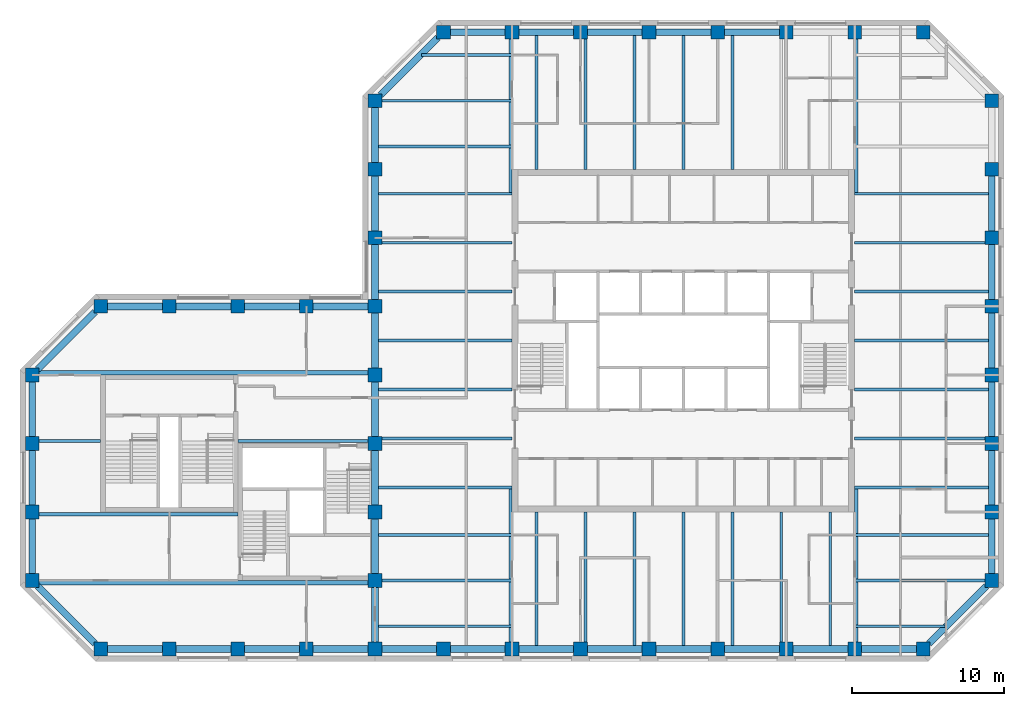
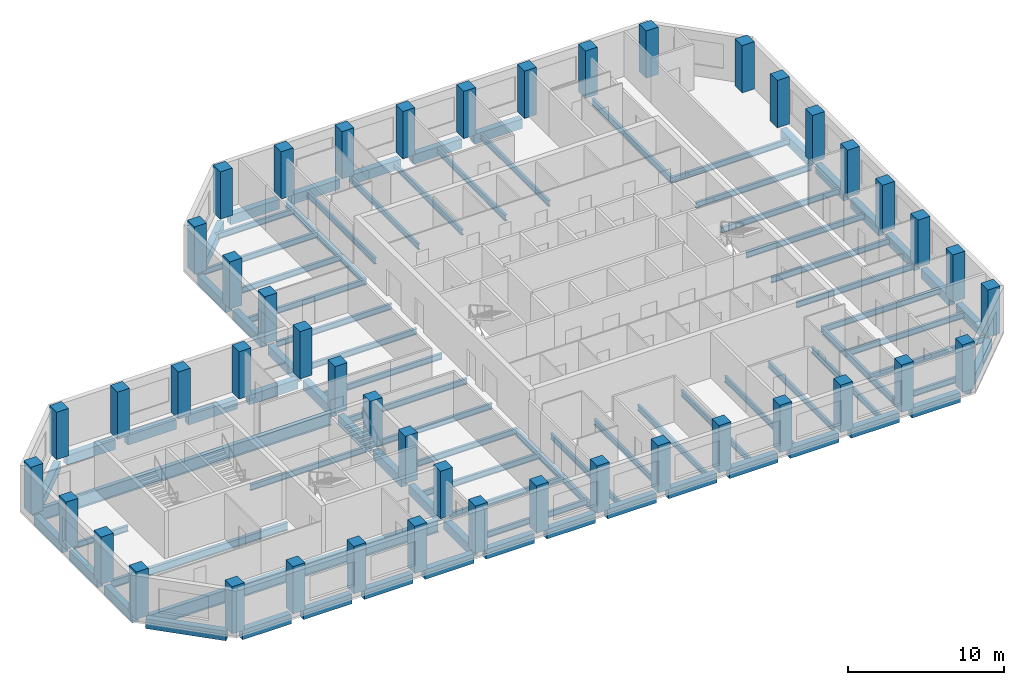
# One storey, part 1 of 9: 86 beams, 45 columns.
"""IFC4 building model written with IfcOpenShell, lengths in metres."""

from ifc_helpers import new_model, si_unit, direction, frame, origin, origin_2d, place, context, subcontext, project, spatial, rectangle, i_section, extrude, material, material_profile, profile_set, type_object, element, save


model = new_model("IFC4")

# Units and contexts
model_context = context("Model", 3, precision=1e-05, world=origin(), true_north=direction((0.0, 1.0)))
body_context = subcontext(model_context, "Body", "Model", "MODEL_VIEW")
ifc_project = project(units=[si_unit("LENGTHUNIT", "METRE"), si_unit("AREAUNIT", "SQUARE_METRE"), si_unit("VOLUMEUNIT", "CUBIC_METRE"), si_unit("PLANEANGLEUNIT", "RADIAN"), si_unit("MASSUNIT", "GRAM", prefix="KILO")], contexts=[model_context])

# Site, building, storey
site_placement = place(None, origin())
site = spatial("IfcSite", under=ifc_project, at=site_placement, CompositionType="ELEMENT")
building_placement = place(site_placement, origin())
building = spatial("IfcBuilding", under=site, at=building_placement, Name="Quoin Convention Tower", CompositionType="ELEMENT")
storey_placement = place(building_placement, frame((0.0, 0.0, 162.5)))
storey = spatial("IfcBuildingStorey", under=building, at=storey_placement, Name="L42", CompositionType="ELEMENT", Elevation=162.5)

# Columns
ifc_material_1 = material(Name="Concrete C50", Category="concrete")
ifc_material_profile_1 = material_profile(ifc_material_1, rectangle(XDim=0.89990234375, YDim=0.89990234375, at=origin_2d()), Name="RC 900x900")
ifc_profile_set_1 = profile_set([ifc_material_profile_1], Name="Concrete C50")
column_type = type_object("IfcColumnType", Name="RC 900x900 C50", PredefinedType="COLUMN", material=ifc_profile_set_1)
for number, where, z_axis, x_axis, name in (
    (1, (18.0, 40.5, 0.0), (0.0, 0.0, 1.0), (1.0, 0.0, 0.0), "col-L42-18000_40500"),
    (2, (22.5, 40.5, 0.0), (0.0, 0.0, 1.0), (1.0, 0.0, 0.0), "col-L42-22500_40500"),
    (3, (27.0, 40.5, 0.0), (0.0, 0.0, 1.0), (1.0, 0.0, 0.0), "col-L42-27000_40500"),
    (4, (31.5, 40.5, 0.0), (0.0, 0.0, 1.0), (1.0, 0.0, 0.0), "col-L42-31500_40500"),
    (5, (36.0, 40.5, 0.0), (0.0, 0.0, 1.0), (1.0, 0.0, 0.0), "col-L42-36000_40500"),
    (6, (40.5, 40.5, 0.0), (0.0, 0.0, 1.0), (1.0, 0.0, 0.0), "col-L42-40500_40500"),
    (7, (45.0, 40.5, 0.0), (0.0, 0.0, 1.0), (1.0, 0.0, 0.0), "col-L42-45000_40500"),
    (8, (49.5, 40.5, 0.0), (0.0, 0.0, 1.0), (1.0, 0.0, 0.0), "col-L42-49500_40500"),
    (9, (54.0, 40.5, 0.0), (0.0, 0.0, 1.0), (1.0, 0.0, 0.0), "col-L42-54000_40500"),
    (10, (58.5, 40.5, 0.0), (0.0, 0.0, 1.0), (1.0, 0.0, 0.0), "col-L42-58500_40500"),
    (11, (63.0, 40.5, 0.0), (0.0, 0.0, 1.0), (1.0, 0.0, 0.0), "col-L42-63000_40500"),
    (12, (67.5, 40.5, 0.0), (0.0, 0.0, 1.0), (1.0, 0.0, 0.0), "col-L42-67500_40500"),
    (13, (72.0, 40.5, 0.0), (0.0, 0.0, 1.0), (1.0, 0.0, 0.0), "col-L42-72000_40500"),
    (14, (13.5, 45.0, 0.0), (0.0, 0.0, 1.0), (1.0, 0.0, 0.0), "col-L42-13500_45000"),
    (15, (36.0, 45.0, 0.0), (0.0, 0.0, 1.0), (1.0, 0.0, 0.0), "web-L42-36000_45000"),
    (16, (76.5, 45.0, 0.0), (0.0, 0.0, 1.0), (1.0, 0.0, 0.0), "col-L42-76500_45000"),
    (17, (13.5, 49.5, 0.0), (0.0, 0.0, 1.0), (1.0, 0.0, 0.0), "col-L42-13500_49500"),
    (18, (36.0, 49.5, 0.0), (0.0, 0.0, 1.0), (1.0, 0.0, 0.0), "web-L42-36000_49500"),
    (19, (76.5, 49.5, 0.0), (0.0, 0.0, 1.0), (1.0, 0.0, 0.0), "col-L42-76500_49500"),
    (20, (13.5, 54.0, 0.0), (0.0, 0.0, 1.0), (1.0, 0.0, 0.0), "col-L42-13500_54000"),
    (21, (36.0, 54.0, 0.0), (0.0, 0.0, 1.0), (1.0, 0.0, 0.0), "web-L42-36000_54000"),
    (22, (76.5, 54.0, 0.0), (0.0, 0.0, 1.0), (1.0, 0.0, 0.0), "col-L42-76500_54000"),
    (23, (13.5, 58.5, 0.0), (0.0, 0.0, 1.0), (1.0, 0.0, 0.0), "col-L42-13500_58500"),
    (24, (36.0, 58.5, 0.0), (0.0, 0.0, 1.0), (1.0, 0.0, 0.0), "web-L42-36000_58500"),
    (25, (76.5, 58.5, 0.0), (0.0, 0.0, 1.0), (1.0, 0.0, 0.0), "col-L42-76500_58500"),
    (26, (18.0, 63.0, 0.0), (0.0, 0.0, 1.0), (1.0, 0.0, 0.0), "col-L42-18000_63000"),
    (27, (22.5, 63.0, 0.0), (0.0, 0.0, 1.0), (1.0, 0.0, 0.0), "col-L42-22500_63000"),
    (28, (27.0, 63.0, 0.0), (0.0, 0.0, 1.0), (1.0, 0.0, 0.0), "col-L42-27000_63000"),
    (29, (31.5, 63.0, 0.0), (0.0, 0.0, 1.0), (1.0, 0.0, 0.0), "col-L42-31500_63000"),
    (30, (36.0, 63.0, 0.0), (0.0, 0.0, 1.0), (1.0, 0.0, 0.0), "col-L42-36000_63000"),
    (31, (76.5, 63.0, 0.0), (0.0, 0.0, 1.0), (1.0, 0.0, 0.0), "col-L42-76500_63000"),
    (32, (36.0, 67.5, 0.0), (0.0, 0.0, 1.0), (1.0, 0.0, 0.0), "col-L42-36000_67500"),
    (33, (76.5, 67.5, 0.0), (0.0, 0.0, 1.0), (1.0, 0.0, 0.0), "col-L42-76500_67500"),
    (34, (36.0, 72.0, 0.0), (0.0, 0.0, 1.0), (1.0, 0.0, 0.0), "col-L42-36000_72000"),
    (35, (76.5, 72.0, 0.0), (0.0, 0.0, 1.0), (1.0, 0.0, 0.0), "col-L42-76500_72000"),
    (36, (36.0, 76.5, 0.0), (0.0, 0.0, 1.0), (1.0, 0.0, 0.0), "col-L42-36000_76500"),
    (37, (76.5, 76.5, 0.0), (0.0, 0.0, 1.0), (1.0, 0.0, 0.0), "col-L42-76500_76500"),
    (38, (40.5, 81.0, 0.0), (0.0, 0.0, 1.0), (1.0, 0.0, 0.0), "col-L42-40500_81000"),
    (39, (45.0, 81.0, 0.0), (0.0, 0.0, 1.0), (1.0, 0.0, 0.0), "col-L42-45000_81000"),
    (40, (49.5, 81.0, 0.0), (0.0, 0.0, 1.0), (1.0, 0.0, 0.0), "col-L42-49500_81000"),
    (41, (54.0, 81.0, 0.0), (0.0, 0.0, 1.0), (1.0, 0.0, 0.0), "col-L42-54000_81000"),
    (42, (58.5, 81.0, 0.0), (0.0, 0.0, 1.0), (1.0, 0.0, 0.0), "col-L42-58500_81000"),
    (43, (63.0, 81.0, 0.0), (0.0, 0.0, 1.0), (1.0, 0.0, 0.0), "col-L42-63000_81000"),
    (44, (67.5, 81.0, 0.0), (0.0, 0.0, 1.0), (1.0, 0.0, 0.0), "col-L42-67500_81000"),
    (45, (72.0, 81.0, 0.0), (0.0, 0.0, 1.0), (1.0, 0.0, 0.0), "col-L42-72000_81000"),
):
    element("IfcColumn", number, at=place(storey_placement, frame(where, z_axis=z_axis, x_axis=x_axis)), inside=storey, type_object=column_type, Name=name, PredefinedType="COLUMN", context=body_context, shape_type="SweptSolid", body=[
        extrude(rectangle(XDim=0.89990234375, YDim=0.89990234375, at=origin_2d()), origin(), (0.0, 0.0, 1.0), 3.699951171875),
    ])

# Beams
ifc_material_2 = material(Name="Steel Grade 300", Category="steel")
ifc_material_profile_2 = material_profile(ifc_material_2, i_section(OverallWidth=0.300048828125, OverallDepth=1.0, WebThickness=0.01611328125, FlangeThickness=0.02001953125, at=origin_2d()), Name="1000WB215")
ifc_profile_set_2 = profile_set([ifc_material_profile_2], Name="Steel Grade 300")
beam_type_1 = type_object("IfcBeamType", Name="1000WB215", PredefinedType="BEAM", material=ifc_profile_set_2)
for number, where, z_axis, x_axis, name in (
    (46, (13.949951171875, 44.85009765625, -0.64990234375), (1.0, 0.0, 0.0), (0.0, 1.0, 0.0), "gir-L42-ST2-1-0"),
    (47, (13.949951171875, 58.64990234375, -0.64990234375), (1.0, 0.0, 0.0), (0.0, 1.0, 0.0), "gir-L42-ST2-4-0"),
):
    element("IfcBeam", number, at=place(storey_placement, frame(where, z_axis=z_axis, x_axis=x_axis)), inside=storey, type_object=beam_type_1, Name=name, PredefinedType="BEAM", context=body_context, shape_type="SweptSolid", body=[
        extrude(i_section(OverallWidth=0.300048828125, OverallDepth=1.0, WebThickness=0.01611328125, FlangeThickness=0.02001953125, at=origin_2d()), origin(), (0.0, 0.0, 1.0), 21.60009765625),
    ])
ifc_material_profile_3 = material_profile(ifc_material_2, i_section(OverallWidth=0.18994140625, OverallDepth=0.4541015625, WebThickness=0.008544921875, FlangeThickness=0.0126953125, FilletRadius=0.011474609375, at=origin_2d()), Name="460UB67.1")
ifc_profile_set_3 = profile_set([ifc_material_profile_3], Name="Steel Grade 300")
beam_type_2 = type_object("IfcBeamType", Name="460UB67.1", PredefinedType="BEAM", material=ifc_profile_set_3)
beam_1_placement = place(storey_placement, frame((36.22509765625, 51.107177734375, -0.376953125), z_axis=(1.0, 0.0, 0.0), x_axis=(0.0, 1.0, 0.0)))
element("IfcBeam", 48, at=beam_1_placement, inside=storey, type_object=beam_type_2, Name="bm-L42-T1W0", PredefinedType="BEAM", context=body_context, shape_type="SweptSolid", body=[
    extrude(i_section(OverallWidth=0.18994140625, OverallDepth=0.4541015625, WebThickness=0.008544921875, FlangeThickness=0.0126953125, FilletRadius=0.011474609375, at=origin_2d()), origin(), (0.0, 0.0, 1.0), 8.77490234375),
])
beam_2_placement = place(storey_placement, frame((36.449951171875, 54.3212890625, -0.376953125), z_axis=(1.0, 0.0, 0.0), x_axis=(0.0, 1.0, 0.0)))
element("IfcBeam", 49, at=beam_2_placement, inside=storey, type_object=beam_type_2, Name="bm-L42-T1W1", PredefinedType="BEAM", context=body_context, shape_type="SweptSolid", body=[
    extrude(i_section(OverallWidth=0.18994140625, OverallDepth=0.4541015625, WebThickness=0.008544921875, FlangeThickness=0.0126953125, FilletRadius=0.011474609375, at=origin_2d()), origin(), (0.0, 0.0, 1.0), 8.550048828125),
])
for number, where, z_axis, x_axis, name in (
    (50, (36.22509765625, 57.53564453125, -0.376953125), (1.0, 0.0, 0.0), (0.0, 1.0, 0.0), "bm-L42-T1W2"),
    (51, (36.22509765625, 60.75, -0.376953125), (1.0, 0.0, 0.0), (0.0, 1.0, 0.0), "bm-L42-T1W3"),
    (52, (36.22509765625, 63.96435546875, -0.376953125), (1.0, 0.0, 0.0), (0.0, 1.0, 0.0), "bm-L42-T1W4"),
):
    element("IfcBeam", number, at=place(storey_placement, frame(where, z_axis=z_axis, x_axis=x_axis)), inside=storey, type_object=beam_type_2, Name=name, PredefinedType="BEAM", context=body_context, shape_type="SweptSolid", body=[
        extrude(i_section(OverallWidth=0.18994140625, OverallDepth=0.4541015625, WebThickness=0.008544921875, FlangeThickness=0.0126953125, FilletRadius=0.011474609375, at=origin_2d()), origin(), (0.0, 0.0, 1.0), 8.77490234375),
    ])
beam_3_placement = place(storey_placement, frame((36.449951171875, 67.1787109375, -0.376953125), z_axis=(1.0, 0.0, 0.0), x_axis=(0.0, 1.0, 0.0)))
element("IfcBeam", 53, at=beam_3_placement, inside=storey, type_object=beam_type_2, Name="bm-L42-T1W5", PredefinedType="BEAM", context=body_context, shape_type="SweptSolid", body=[
    extrude(i_section(OverallWidth=0.18994140625, OverallDepth=0.4541015625, WebThickness=0.008544921875, FlangeThickness=0.0126953125, FilletRadius=0.011474609375, at=origin_2d()), origin(), (0.0, 0.0, 1.0), 8.550048828125),
])
for number, where, z_axis, x_axis, name in (
    (54, (36.22509765625, 70.392822265625, -0.376953125), (1.0, 0.0, 0.0), (0.0, 1.0, 0.0), "bm-L42-T1W6"),
    (55, (67.5, 51.107177734375, -0.376953125), (1.0, 0.0, 0.0), (0.0, 1.0, 0.0), "bm-L42-T1E0"),
):
    element("IfcBeam", number, at=place(storey_placement, frame(where, z_axis=z_axis, x_axis=x_axis)), inside=storey, type_object=beam_type_2, Name=name, PredefinedType="BEAM", context=body_context, shape_type="SweptSolid", body=[
        extrude(i_section(OverallWidth=0.18994140625, OverallDepth=0.4541015625, WebThickness=0.008544921875, FlangeThickness=0.0126953125, FilletRadius=0.011474609375, at=origin_2d()), origin(), (0.0, 0.0, 1.0), 8.77490234375),
    ])
beam_4_placement = place(storey_placement, frame((67.5, 54.3212890625, -0.376953125), z_axis=(1.0, 0.0, 0.0), x_axis=(0.0, 1.0, 0.0)))
element("IfcBeam", 56, at=beam_4_placement, inside=storey, type_object=beam_type_2, Name="bm-L42-T1E1", PredefinedType="BEAM", context=body_context, shape_type="SweptSolid", body=[
    extrude(i_section(OverallWidth=0.18994140625, OverallDepth=0.4541015625, WebThickness=0.008544921875, FlangeThickness=0.0126953125, FilletRadius=0.011474609375, at=origin_2d()), origin(), (0.0, 0.0, 1.0), 8.550048828125),
])
for number, where, z_axis, x_axis, name in (
    (57, (67.5, 57.53564453125, -0.376953125), (1.0, 0.0, 0.0), (0.0, 1.0, 0.0), "bm-L42-T1E2"),
    (58, (67.5, 60.75, -0.376953125), (1.0, 0.0, 0.0), (0.0, 1.0, 0.0), "bm-L42-T1E3"),
    (59, (67.5, 63.96435546875, -0.376953125), (1.0, 0.0, 0.0), (0.0, 1.0, 0.0), "bm-L42-T1E4"),
):
    element("IfcBeam", number, at=place(storey_placement, frame(where, z_axis=z_axis, x_axis=x_axis)), inside=storey, type_object=beam_type_2, Name=name, PredefinedType="BEAM", context=body_context, shape_type="SweptSolid", body=[
        extrude(i_section(OverallWidth=0.18994140625, OverallDepth=0.4541015625, WebThickness=0.008544921875, FlangeThickness=0.0126953125, FilletRadius=0.011474609375, at=origin_2d()), origin(), (0.0, 0.0, 1.0), 8.77490234375),
    ])
beam_5_placement = place(storey_placement, frame((67.5, 67.1787109375, -0.376953125), z_axis=(1.0, 0.0, 0.0), x_axis=(0.0, 1.0, 0.0)))
element("IfcBeam", 60, at=beam_5_placement, inside=storey, type_object=beam_type_2, Name="bm-L42-T1E5", PredefinedType="BEAM", context=body_context, shape_type="SweptSolid", body=[
    extrude(i_section(OverallWidth=0.18994140625, OverallDepth=0.4541015625, WebThickness=0.008544921875, FlangeThickness=0.0126953125, FilletRadius=0.011474609375, at=origin_2d()), origin(), (0.0, 0.0, 1.0), 8.550048828125),
])
for number, where, z_axis, x_axis, name in (
    (61, (67.5, 70.392822265625, -0.376953125), (1.0, 0.0, 0.0), (0.0, 1.0, 0.0), "bm-L42-T1E6"),
    (62, (46.607177734375, 40.72509765625, -0.376953125), (0.0, 1.0, 0.0), (-1.0, 0.0, 0.0), "bm-L42-T1S0"),
):
    element("IfcBeam", number, at=place(storey_placement, frame(where, z_axis=z_axis, x_axis=x_axis)), inside=storey, type_object=beam_type_2, Name=name, PredefinedType="BEAM", context=body_context, shape_type="SweptSolid", body=[
        extrude(i_section(OverallWidth=0.18994140625, OverallDepth=0.4541015625, WebThickness=0.008544921875, FlangeThickness=0.0126953125, FilletRadius=0.011474609375, at=origin_2d()), origin(), (0.0, 0.0, 1.0), 8.77490234375),
    ])
beam_6_placement = place(storey_placement, frame((49.8212890625, 40.949951171875, -0.376953125), z_axis=(0.0, 1.0, 0.0), x_axis=(-1.0, 0.0, 0.0)))
element("IfcBeam", 63, at=beam_6_placement, inside=storey, type_object=beam_type_2, Name="bm-L42-T1S1", PredefinedType="BEAM", context=body_context, shape_type="SweptSolid", body=[
    extrude(i_section(OverallWidth=0.18994140625, OverallDepth=0.4541015625, WebThickness=0.008544921875, FlangeThickness=0.0126953125, FilletRadius=0.011474609375, at=origin_2d()), origin(), (0.0, 0.0, 1.0), 8.550048828125),
])
for number, where, z_axis, x_axis, name in (
    (64, (53.03564453125, 40.72509765625, -0.376953125), (0.0, 1.0, 0.0), (-1.0, 0.0, 0.0), "bm-L42-T1S2"),
    (65, (56.25, 40.72509765625, -0.376953125), (0.0, 1.0, 0.0), (-1.0, 0.0, 0.0), "bm-L42-T1S3"),
    (66, (59.46435546875, 40.72509765625, -0.376953125), (0.0, 1.0, 0.0), (-1.0, 0.0, 0.0), "bm-L42-T1S4"),
):
    element("IfcBeam", number, at=place(storey_placement, frame(where, z_axis=z_axis, x_axis=x_axis)), inside=storey, type_object=beam_type_2, Name=name, PredefinedType="BEAM", context=body_context, shape_type="SweptSolid", body=[
        extrude(i_section(OverallWidth=0.18994140625, OverallDepth=0.4541015625, WebThickness=0.008544921875, FlangeThickness=0.0126953125, FilletRadius=0.011474609375, at=origin_2d()), origin(), (0.0, 0.0, 1.0), 8.77490234375),
    ])
beam_7_placement = place(storey_placement, frame((62.6787109375, 40.949951171875, -0.376953125), z_axis=(0.0, 1.0, 0.0), x_axis=(-1.0, 0.0, 0.0)))
element("IfcBeam", 67, at=beam_7_placement, inside=storey, type_object=beam_type_2, Name="bm-L42-T1S5", PredefinedType="BEAM", context=body_context, shape_type="SweptSolid", body=[
    extrude(i_section(OverallWidth=0.18994140625, OverallDepth=0.4541015625, WebThickness=0.008544921875, FlangeThickness=0.0126953125, FilletRadius=0.011474609375, at=origin_2d()), origin(), (0.0, 0.0, 1.0), 8.550048828125),
])
for number, where, z_axis, x_axis, name in (
    (68, (65.892822265625, 40.72509765625, -0.376953125), (0.0, 1.0, 0.0), (-1.0, 0.0, 0.0), "bm-L42-T1S6"),
    (69, (46.607177734375, 72.0, -0.376953125), (0.0, 1.0, 0.0), (-1.0, 0.0, 0.0), "bm-L42-T1N0"),
):
    element("IfcBeam", number, at=place(storey_placement, frame(where, z_axis=z_axis, x_axis=x_axis)), inside=storey, type_object=beam_type_2, Name=name, PredefinedType="BEAM", context=body_context, shape_type="SweptSolid", body=[
        extrude(i_section(OverallWidth=0.18994140625, OverallDepth=0.4541015625, WebThickness=0.008544921875, FlangeThickness=0.0126953125, FilletRadius=0.011474609375, at=origin_2d()), origin(), (0.0, 0.0, 1.0), 8.77490234375),
    ])
beam_8_placement = place(storey_placement, frame((49.8212890625, 72.0, -0.376953125), z_axis=(0.0, 1.0, 0.0), x_axis=(-1.0, 0.0, 0.0)))
element("IfcBeam", 70, at=beam_8_placement, inside=storey, type_object=beam_type_2, Name="bm-L42-T1N1", PredefinedType="BEAM", context=body_context, shape_type="SweptSolid", body=[
    extrude(i_section(OverallWidth=0.18994140625, OverallDepth=0.4541015625, WebThickness=0.008544921875, FlangeThickness=0.0126953125, FilletRadius=0.011474609375, at=origin_2d()), origin(), (0.0, 0.0, 1.0), 8.550048828125),
])
for number, where, z_axis, x_axis, name in (
    (71, (53.03564453125, 72.0, -0.376953125), (0.0, 1.0, 0.0), (-1.0, 0.0, 0.0), "bm-L42-T1N2"),
    (72, (56.25, 72.0, -0.376953125), (0.0, 1.0, 0.0), (-1.0, 0.0, 0.0), "bm-L42-T1N3"),
    (73, (59.46435546875, 72.0, -0.376953125), (0.0, 1.0, 0.0), (-1.0, 0.0, 0.0), "bm-L42-T1N4"),
    (74, (36.22509765625, 42.0, -0.376953125), (1.0, 0.0, 0.0), (0.0, 1.0, 0.0), "bm-L42-T1SW0"),
):
    element("IfcBeam", number, at=place(storey_placement, frame(where, z_axis=z_axis, x_axis=x_axis)), inside=storey, type_object=beam_type_2, Name=name, PredefinedType="BEAM", context=body_context, shape_type="SweptSolid", body=[
        extrude(i_section(OverallWidth=0.18994140625, OverallDepth=0.4541015625, WebThickness=0.008544921875, FlangeThickness=0.0126953125, FilletRadius=0.011474609375, at=origin_2d()), origin(), (0.0, 0.0, 1.0), 8.77490234375),
    ])
beam_9_placement = place(storey_placement, frame((36.449951171875, 45.0, -0.376953125), z_axis=(1.0, 0.0, 0.0), x_axis=(0.0, 1.0, 0.0)))
element("IfcBeam", 75, at=beam_9_placement, inside=storey, type_object=beam_type_2, Name="bm-L42-T1SW1", PredefinedType="BEAM", context=body_context, shape_type="SweptSolid", body=[
    extrude(i_section(OverallWidth=0.18994140625, OverallDepth=0.4541015625, WebThickness=0.008544921875, FlangeThickness=0.0126953125, FilletRadius=0.011474609375, at=origin_2d()), origin(), (0.0, 0.0, 1.0), 8.550048828125),
])
beam_10_placement = place(storey_placement, frame((36.22509765625, 48.0, -0.376953125), z_axis=(1.0, 0.0, 0.0), x_axis=(0.0, 1.0, 0.0)))
element("IfcBeam", 76, at=beam_10_placement, inside=storey, type_object=beam_type_2, Name="bm-L42-T1SW2", PredefinedType="BEAM", context=body_context, shape_type="SweptSolid", body=[
    extrude(i_section(OverallWidth=0.18994140625, OverallDepth=0.4541015625, WebThickness=0.008544921875, FlangeThickness=0.0126953125, FilletRadius=0.011474609375, at=origin_2d()), origin(), (0.0, 0.0, 1.0), 8.77490234375),
])
beam_11_placement = place(storey_placement, frame((67.5, 42.0, -0.376953125), z_axis=(1.0, 0.0, 0.0), x_axis=(0.0, 1.0, 0.0)))
element("IfcBeam", 77, at=beam_11_placement, inside=storey, type_object=beam_type_2, Name="bm-L42-T1SE0", PredefinedType="BEAM", context=body_context, shape_type="SweptSolid", body=[
    extrude(i_section(OverallWidth=0.18994140625, OverallDepth=0.4541015625, WebThickness=0.008544921875, FlangeThickness=0.0126953125, FilletRadius=0.011474609375, at=origin_2d()), origin(), (0.0, 0.0, 1.0), 5.935791015625),
])
beam_12_placement = place(storey_placement, frame((67.5, 45.0, -0.376953125), z_axis=(1.0, 0.0, 0.0), x_axis=(0.0, 1.0, 0.0)))
element("IfcBeam", 78, at=beam_12_placement, inside=storey, type_object=beam_type_2, Name="bm-L42-T1SE1", PredefinedType="BEAM", context=body_context, shape_type="SweptSolid", body=[
    extrude(i_section(OverallWidth=0.18994140625, OverallDepth=0.4541015625, WebThickness=0.008544921875, FlangeThickness=0.0126953125, FilletRadius=0.011474609375, at=origin_2d()), origin(), (0.0, 0.0, 1.0), 8.550048828125),
])
beam_13_placement = place(storey_placement, frame((67.5, 48.0, -0.376953125), z_axis=(1.0, 0.0, 0.0), x_axis=(0.0, 1.0, 0.0)))
element("IfcBeam", 79, at=beam_13_placement, inside=storey, type_object=beam_type_2, Name="bm-L42-T1SE2", PredefinedType="BEAM", context=body_context, shape_type="SweptSolid", body=[
    extrude(i_section(OverallWidth=0.18994140625, OverallDepth=0.4541015625, WebThickness=0.008544921875, FlangeThickness=0.0126953125, FilletRadius=0.011474609375, at=origin_2d()), origin(), (0.0, 0.0, 1.0), 8.77490234375),
])
beam_14_placement = place(storey_placement, frame((39.064208984375, 79.5, -0.376953125), z_axis=(1.0, 0.0, 0.0), x_axis=(0.0, 1.0, 0.0)))
element("IfcBeam", 80, at=beam_14_placement, inside=storey, type_object=beam_type_2, Name="bm-L42-T1NW0", PredefinedType="BEAM", context=body_context, shape_type="SweptSolid", body=[
    extrude(i_section(OverallWidth=0.18994140625, OverallDepth=0.4541015625, WebThickness=0.008544921875, FlangeThickness=0.0126953125, FilletRadius=0.011474609375, at=origin_2d()), origin(), (0.0, 0.0, 1.0), 5.935791015625),
])
beam_15_placement = place(storey_placement, frame((36.449951171875, 76.5, -0.376953125), z_axis=(1.0, 0.0, 0.0), x_axis=(0.0, 1.0, 0.0)))
element("IfcBeam", 81, at=beam_15_placement, inside=storey, type_object=beam_type_2, Name="bm-L42-T1NW1", PredefinedType="BEAM", context=body_context, shape_type="SweptSolid", body=[
    extrude(i_section(OverallWidth=0.18994140625, OverallDepth=0.4541015625, WebThickness=0.008544921875, FlangeThickness=0.0126953125, FilletRadius=0.011474609375, at=origin_2d()), origin(), (0.0, 0.0, 1.0), 8.550048828125),
])
beam_16_placement = place(storey_placement, frame((36.22509765625, 73.5, -0.376953125), z_axis=(1.0, 0.0, 0.0), x_axis=(0.0, 1.0, 0.0)))
element("IfcBeam", 82, at=beam_16_placement, inside=storey, type_object=beam_type_2, Name="bm-L42-T1NW2", PredefinedType="BEAM", context=body_context, shape_type="SweptSolid", body=[
    extrude(i_section(OverallWidth=0.18994140625, OverallDepth=0.4541015625, WebThickness=0.008544921875, FlangeThickness=0.0126953125, FilletRadius=0.011474609375, at=origin_2d()), origin(), (0.0, 0.0, 1.0), 8.77490234375),
])
beam_17_placement = place(storey_placement, frame((13.949951171875, 54.14990234375, -0.376953125), z_axis=(1.0, 0.0, 0.0), x_axis=(0.0, 1.0, 0.0)))
element("IfcBeam", 83, at=beam_17_placement, inside=storey, type_object=beam_type_2, Name="gir-L42-ST2-3-0", PredefinedType="BEAM", context=body_context, shape_type="SweptSolid", body=[
    extrude(i_section(OverallWidth=0.18994140625, OverallDepth=0.4541015625, WebThickness=0.008544921875, FlangeThickness=0.0126953125, FilletRadius=0.011474609375, at=origin_2d()), origin(), (0.0, 0.0, 1.0), 4.050048828125),
])
beam_18_placement = place(storey_placement, frame((27.0, 54.14990234375, -0.376953125), z_axis=(1.0, 0.0, 0.0), x_axis=(0.0, 1.0, 0.0)))
element("IfcBeam", 84, at=beam_18_placement, inside=storey, type_object=beam_type_2, Name="gir-L42-ST2-3-1", PredefinedType="BEAM", context=body_context, shape_type="SweptSolid", body=[
    extrude(i_section(OverallWidth=0.18994140625, OverallDepth=0.4541015625, WebThickness=0.008544921875, FlangeThickness=0.0126953125, FilletRadius=0.011474609375, at=origin_2d()), origin(), (0.0, 0.0, 1.0), 8.550048828125),
])
ifc_material_profile_4 = material_profile(ifc_material_2, i_section(OverallWidth=0.208984375, OverallDepth=0.528076171875, WebThickness=0.009521484375, FlangeThickness=0.01318359375, FilletRadius=0.013916015625, at=origin_2d()), Name="530UB82.0")
ifc_profile_set_4 = profile_set([ifc_material_profile_4], Name="Steel Grade 300")
beam_type_3 = type_object("IfcBeamType", Name="530UB82.0", PredefinedType="BEAM", material=ifc_profile_set_4)
for number, where, z_axis, x_axis, name in (
    (85, (44.904541015625, 40.949951171875, -0.4140625), (0.0, 1.0, 0.0), (-1.0, 0.0, 0.0), "gir-L42-T1SW"),
    (86, (67.595458984375, 40.949951171875, -0.4140625), (0.0, 1.0, 0.0), (-1.0, 0.0, 0.0), "gir-L42-T1SE"),
    (87, (44.904541015625, 80.550048828125, -0.4140625), (0.0, -1.0, 0.0), (1.0, 0.0, 0.0), "gir-L42-T1NW"),
    (88, (67.595458984375, 80.550048828125, -0.4140625), (0.0, -1.0, 0.0), (1.0, 0.0, 0.0), "gir-L42-T1NE"),
):
    element("IfcBeam", number, at=place(storey_placement, frame(where, z_axis=z_axis, x_axis=x_axis)), inside=storey, type_object=beam_type_3, Name=name, PredefinedType="BEAM", context=body_context, shape_type="SweptSolid", body=[
        extrude(i_section(OverallWidth=0.208984375, OverallDepth=0.528076171875, WebThickness=0.009521484375, FlangeThickness=0.01318359375, FilletRadius=0.013916015625, at=origin_2d()), origin(), (0.0, 0.0, 1.0), 10.062255859375),
    ])
ifc_material_profile_5 = material_profile(ifc_material_2, i_section(OverallWidth=0.22802734375, OverallDepth=0.60205078125, WebThickness=0.010498046875, FlangeThickness=0.014892578125, FilletRadius=0.013916015625, at=origin_2d()), Name="610UB101")
ifc_profile_set_5 = profile_set([ifc_material_profile_5], Name="Steel Grade 300")
beam_type_4 = type_object("IfcBeamType", Name="610UB101", PredefinedType="BEAM", material=ifc_profile_set_5)
beam_19_placement = place(storey_placement, frame((13.949951171875, 49.35009765625, -0.450927734375), z_axis=(1.0, 0.0, 0.0), x_axis=(0.0, 1.0, 0.0)))
element("IfcBeam", 89, at=beam_19_placement, inside=storey, type_object=beam_type_4, Name="gir-L42-ST2-2-0", PredefinedType="BEAM", context=body_context, shape_type="SweptSolid", body=[
    extrude(i_section(OverallWidth=0.22802734375, OverallDepth=0.60205078125, WebThickness=0.010498046875, FlangeThickness=0.014892578125, FilletRadius=0.013916015625, at=origin_2d()), origin(), (0.0, 0.0, 1.0), 13.050048828125),
])
ifc_material_profile_6 = material_profile(ifc_material_1, rectangle(XDim=0.449951171875, YDim=0.75, at=origin_2d()), Name="RC 450x750")
ifc_profile_set_6 = profile_set([ifc_material_profile_6], Name="Concrete C50")
beam_type_5 = type_object("IfcBeamType", Name="RC 450x750 C50", PredefinedType="SPANDREL", material=ifc_profile_set_6)
for number, where, z_axis, x_axis, name in (
    (90, (36.449951171875, 40.5, -0.52490234375), (1.0, 0.0, 0.0), (0.0, 1.0, 0.0), "spd-L42-36000_40500-40500_40500"),
    (91, (40.949951171875, 40.5, -0.52490234375), (1.0, 0.0, 0.0), (0.0, 1.0, 0.0), "spd-L42-40500_40500-45000_40500"),
    (92, (45.449951171875, 40.5, -0.52490234375), (1.0, 0.0, 0.0), (0.0, 1.0, 0.0), "spd-L42-45000_40500-49500_40500"),
    (93, (49.949951171875, 40.5, -0.52490234375), (1.0, 0.0, 0.0), (0.0, 1.0, 0.0), "spd-L42-49500_40500-54000_40500"),
    (94, (54.449951171875, 40.5, -0.52490234375), (1.0, 0.0, 0.0), (0.0, 1.0, 0.0), "spd-L42-54000_40500-58500_40500"),
    (95, (58.949951171875, 40.5, -0.52490234375), (1.0, 0.0, 0.0), (0.0, 1.0, 0.0), "spd-L42-58500_40500-63000_40500"),
    (96, (63.449951171875, 40.5, -0.52490234375), (1.0, 0.0, 0.0), (0.0, 1.0, 0.0), "spd-L42-63000_40500-67500_40500"),
    (97, (67.949951171875, 40.5, -0.52490234375), (1.0, 0.0, 0.0), (0.0, 1.0, 0.0), "spd-L42-67500_40500-72000_40500"),
):
    element("IfcBeam", number, at=place(storey_placement, frame(where, z_axis=z_axis, x_axis=x_axis)), inside=storey, type_object=beam_type_5, Name=name, PredefinedType="SPANDREL", context=body_context, shape_type="SweptSolid", body=[
        extrude(rectangle(XDim=0.449951171875, YDim=0.75, at=origin_2d()), origin(), (0.0, 0.0, 1.0), 3.60009765625),
    ])
beam_20_placement = place(storey_placement, frame((72.364990234375, 40.864990234375, -0.52490234375), z_axis=(0.707106781187, 0.707106781187, 0.0), x_axis=(-0.707106781187, 0.707106781187, 0.0)))
element("IfcBeam", 98, at=beam_20_placement, inside=storey, type_object=beam_type_5, Name="spd-L42-72000_40500-76500_45000", PredefinedType="SPANDREL", context=body_context, shape_type="SweptSolid", body=[
    extrude(rectangle(XDim=0.449951171875, YDim=0.75, at=origin_2d()), origin(), (0.0, 0.0, 1.0), 5.33154296875),
])
for number, where, z_axis, x_axis, name in (
    (99, (76.5, 45.449951171875, -0.52490234375), (0.0, 1.0, 0.0), (-1.0, 0.0, 0.0), "spd-L42-76500_45000-76500_49500"),
    (100, (76.5, 49.949951171875, -0.52490234375), (0.0, 1.0, 0.0), (-1.0, 0.0, 0.0), "spd-L42-76500_49500-76500_54000"),
    (101, (76.5, 54.449951171875, -0.52490234375), (0.0, 1.0, 0.0), (-1.0, 0.0, 0.0), "spd-L42-76500_54000-76500_58500"),
    (102, (76.5, 58.949951171875, -0.52490234375), (0.0, 1.0, 0.0), (-1.0, 0.0, 0.0), "spd-L42-76500_58500-76500_63000"),
    (103, (76.5, 63.449951171875, -0.52490234375), (0.0, 1.0, 0.0), (-1.0, 0.0, 0.0), "spd-L42-76500_63000-76500_67500"),
    (104, (76.5, 67.949951171875, -0.52490234375), (0.0, 1.0, 0.0), (-1.0, 0.0, 0.0), "spd-L42-76500_67500-76500_72000"),
    (105, (62.550048828125, 81.0, -0.52490234375), (-1.0, 0.0, 0.0), (0.0, -1.0, 0.0), "spd-L42-63000_81000-58500_81000"),
    (106, (58.050048828125, 81.0, -0.52490234375), (-1.0, 0.0, 0.0), (0.0, -1.0, 0.0), "spd-L42-58500_81000-54000_81000"),
    (107, (53.550048828125, 81.0, -0.52490234375), (-1.0, 0.0, 0.0), (0.0, -1.0, 0.0), "spd-L42-54000_81000-49500_81000"),
    (108, (49.050048828125, 81.0, -0.52490234375), (-1.0, 0.0, 0.0), (0.0, -1.0, 0.0), "spd-L42-49500_81000-45000_81000"),
    (109, (44.550048828125, 81.0, -0.52490234375), (-1.0, 0.0, 0.0), (0.0, -1.0, 0.0), "spd-L42-45000_81000-40500_81000"),
):
    element("IfcBeam", number, at=place(storey_placement, frame(where, z_axis=z_axis, x_axis=x_axis)), inside=storey, type_object=beam_type_5, Name=name, PredefinedType="SPANDREL", context=body_context, shape_type="SweptSolid", body=[
        extrude(rectangle(XDim=0.449951171875, YDim=0.75, at=origin_2d()), origin(), (0.0, 0.0, 1.0), 3.60009765625),
    ])
beam_21_placement = place(storey_placement, frame((40.135009765625, 80.635009765625, -0.52490234375), z_axis=(-0.707106781187, -0.707106781187, 0.0), x_axis=(0.707106781187, -0.707106781187, 0.0)))
element("IfcBeam", 110, at=beam_21_placement, inside=storey, type_object=beam_type_5, Name="spd-L42-40500_81000-36000_76500", PredefinedType="SPANDREL", context=body_context, shape_type="SweptSolid", body=[
    extrude(rectangle(XDim=0.449951171875, YDim=0.75, at=origin_2d()), origin(), (0.0, 0.0, 1.0), 5.33154296875),
])
for number, where, z_axis, x_axis, name in (
    (111, (36.0, 76.050048828125, -0.52490234375), (0.0, -1.0, 0.0), (1.0, 0.0, 0.0), "spd-L42-36000_76500-36000_72000"),
    (112, (36.0, 71.550048828125, -0.52490234375), (0.0, -1.0, 0.0), (1.0, 0.0, 0.0), "spd-L42-36000_72000-36000_67500"),
    (113, (36.0, 67.050048828125, -0.52490234375), (0.0, -1.0, 0.0), (1.0, 0.0, 0.0), "spd-L42-36000_67500-36000_63000"),
    (114, (35.550048828125, 63.0, -0.52490234375), (-1.0, 0.0, 0.0), (0.0, -1.0, 0.0), "spd-L42-36000_63000-31500_63000"),
    (115, (31.050048828125, 63.0, -0.52490234375), (-1.0, 0.0, 0.0), (0.0, -1.0, 0.0), "spd-L42-31500_63000-27000_63000"),
    (116, (26.550048828125, 63.0, -0.52490234375), (-1.0, 0.0, 0.0), (0.0, -1.0, 0.0), "spd-L42-27000_63000-22500_63000"),
    (117, (22.050048828125, 63.0, -0.52490234375), (-1.0, 0.0, 0.0), (0.0, -1.0, 0.0), "spd-L42-22500_63000-18000_63000"),
):
    element("IfcBeam", number, at=place(storey_placement, frame(where, z_axis=z_axis, x_axis=x_axis)), inside=storey, type_object=beam_type_5, Name=name, PredefinedType="SPANDREL", context=body_context, shape_type="SweptSolid", body=[
        extrude(rectangle(XDim=0.449951171875, YDim=0.75, at=origin_2d()), origin(), (0.0, 0.0, 1.0), 3.60009765625),
    ])
beam_22_placement = place(storey_placement, frame((17.635009765625, 62.635009765625, -0.52490234375), z_axis=(-0.707106781187, -0.707106781187, 0.0), x_axis=(0.707106781187, -0.707106781187, 0.0)))
element("IfcBeam", 118, at=beam_22_placement, inside=storey, type_object=beam_type_5, Name="spd-L42-18000_63000-13500_58500", PredefinedType="SPANDREL", context=body_context, shape_type="SweptSolid", body=[
    extrude(rectangle(XDim=0.449951171875, YDim=0.75, at=origin_2d()), origin(), (0.0, 0.0, 1.0), 5.33154296875),
])
for number, where, z_axis, x_axis, name in (
    (119, (13.5, 58.050048828125, -0.52490234375), (0.0, -1.0, 0.0), (1.0, 0.0, 0.0), "spd-L42-13500_58500-13500_54000"),
    (120, (13.5, 53.550048828125, -0.52490234375), (0.0, -1.0, 0.0), (1.0, 0.0, 0.0), "spd-L42-13500_54000-13500_49500"),
    (121, (13.5, 49.050048828125, -0.52490234375), (0.0, -1.0, 0.0), (1.0, 0.0, 0.0), "spd-L42-13500_49500-13500_45000"),
):
    element("IfcBeam", number, at=place(storey_placement, frame(where, z_axis=z_axis, x_axis=x_axis)), inside=storey, type_object=beam_type_5, Name=name, PredefinedType="SPANDREL", context=body_context, shape_type="SweptSolid", body=[
        extrude(rectangle(XDim=0.449951171875, YDim=0.75, at=origin_2d()), origin(), (0.0, 0.0, 1.0), 3.60009765625),
    ])
beam_23_placement = place(storey_placement, frame((13.864990234375, 44.635009765625, -0.52490234375), z_axis=(0.707106781187, -0.707106781187, 0.0), x_axis=(0.707106781187, 0.707106781187, 0.0)))
element("IfcBeam", 122, at=beam_23_placement, inside=storey, type_object=beam_type_5, Name="spd-L42-13500_45000-18000_40500", PredefinedType="SPANDREL", context=body_context, shape_type="SweptSolid", body=[
    extrude(rectangle(XDim=0.449951171875, YDim=0.75, at=origin_2d()), origin(), (0.0, 0.0, 1.0), 5.33154296875),
])
for number, where, z_axis, x_axis, name in (
    (123, (18.449951171875, 40.5, -0.52490234375), (1.0, 0.0, 0.0), (0.0, 1.0, 0.0), "spd-L42-18000_40500-22500_40500"),
    (124, (22.949951171875, 40.5, -0.52490234375), (1.0, 0.0, 0.0), (0.0, 1.0, 0.0), "spd-L42-22500_40500-27000_40500"),
    (125, (27.449951171875, 40.5, -0.52490234375), (1.0, 0.0, 0.0), (0.0, 1.0, 0.0), "spd-L42-27000_40500-31500_40500"),
    (126, (31.949951171875, 40.5, -0.52490234375), (1.0, 0.0, 0.0), (0.0, 1.0, 0.0), "spd-L42-31500_40500-36000_40500"),
    (127, (36.0, 40.949951171875, -0.52490234375), (0.0, 1.0, 0.0), (-1.0, 0.0, 0.0), "spd-L42-36000_40500-36000_45000"),
    (128, (36.0, 45.449951171875, -0.52490234375), (0.0, 1.0, 0.0), (-1.0, 0.0, 0.0), "spd-L42-36000_45000-36000_49500"),
    (129, (36.0, 49.949951171875, -0.52490234375), (0.0, 1.0, 0.0), (-1.0, 0.0, 0.0), "spd-L42-36000_49500-36000_54000"),
    (130, (36.0, 54.449951171875, -0.52490234375), (0.0, 1.0, 0.0), (-1.0, 0.0, 0.0), "spd-L42-36000_54000-36000_58500"),
    (131, (36.0, 58.949951171875, -0.52490234375), (0.0, 1.0, 0.0), (-1.0, 0.0, 0.0), "spd-L42-36000_58500-36000_63000"),
):
    element("IfcBeam", number, at=place(storey_placement, frame(where, z_axis=z_axis, x_axis=x_axis)), inside=storey, type_object=beam_type_5, Name=name, PredefinedType="SPANDREL", context=body_context, shape_type="SweptSolid", body=[
        extrude(rectangle(XDim=0.449951171875, YDim=0.75, at=origin_2d()), origin(), (0.0, 0.0, 1.0), 3.60009765625),
    ])

save(model, "model.ifc")
